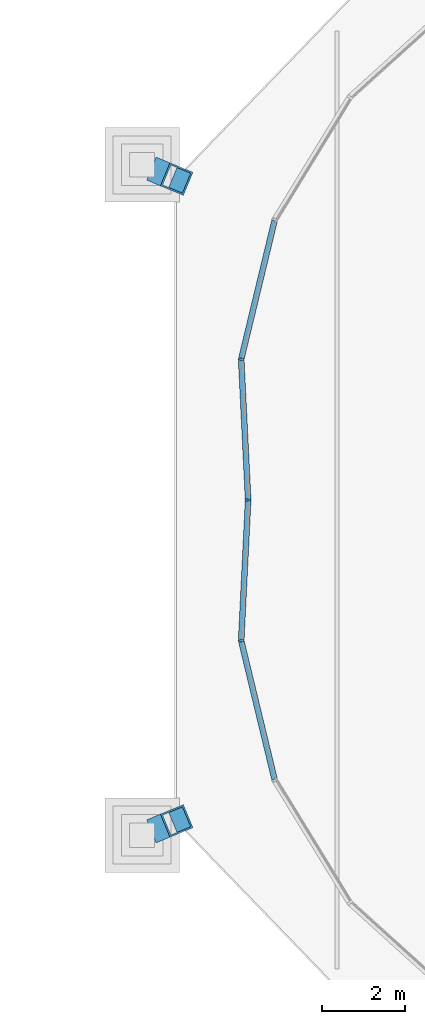
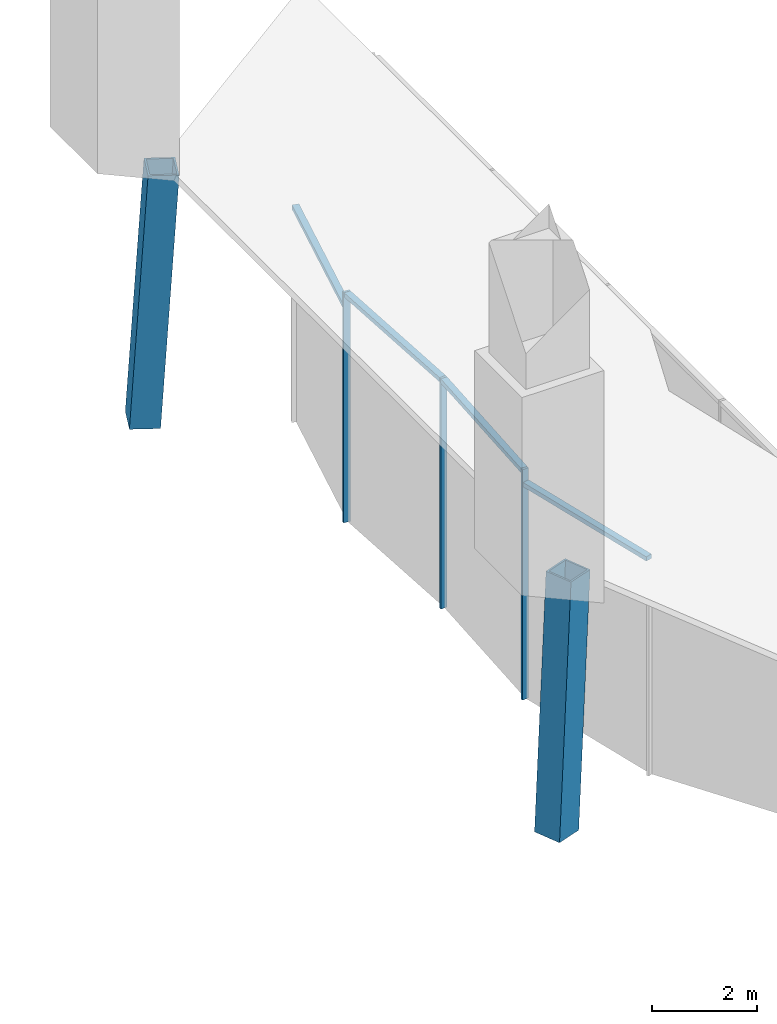
# One storey, part 3 of 8: 9 members, 2 elements without a shape of their own.
"""IFC4 building model written with IfcOpenShell, lengths in metres."""

from ifc_helpers import new_model, si_unit, direction, frame, origin, origin_2d, place, context, subcontext, project, spatial, rectangle, hollow_rectangle, extrude, material, material_profile, profile_set, type_object, element, aggregate, save


model = new_model("IFC4")

# Units and contexts
model_context = context("Model", 3, precision=1e-05, world=origin(), true_north=direction((0.0, 1.0)))
body_context = subcontext(model_context, "Body", "Model", "MODEL_VIEW")
ifc_project = project(units=[si_unit("LENGTHUNIT", "METRE"), si_unit("AREAUNIT", "SQUARE_METRE"), si_unit("VOLUMEUNIT", "CUBIC_METRE"), si_unit("PLANEANGLEUNIT", "RADIAN"), si_unit("MASSUNIT", "GRAM", prefix="KILO")], contexts=[model_context])

# Site, building, storey
site_placement = place(None, origin())
site = spatial("IfcSite", under=ifc_project, at=site_placement, CompositionType="ELEMENT")
building_placement = place(site_placement, origin())
building = spatial("IfcBuilding", under=site, at=building_placement, Name="Ogive Gate Towers", CompositionType="ELEMENT")
storey_placement = place(building_placement, frame((0.0, 0.0, 314.0)))
storey = spatial("IfcBuildingStorey", under=building, at=storey_placement, Name="L74", CompositionType="ELEMENT", Elevation=314.0)

# Curtain wall, members
ifc_material_1 = material(Name="Pale metal aluminium", Category="aluminium")
curtain_wall_type = type_object("IfcCurtainWallType", Name="Crown lean wall", PredefinedType="NOTDEFINED", material=ifc_material_1)
curtain_wall_1_placement = place(storey_placement, origin())
curtain_wall_1 = element("IfcCurtainWall", 1, at=curtain_wall_1_placement, inside=storey, type_object=curtain_wall_type, Name="CW5 T2 ECW02", PredefinedType="NOTDEFINED")
ifc_material_profile_1 = material_profile(ifc_material_1, rectangle(XDim=0.139892578125, YDim=0.050048828125, at=origin_2d()), Name="50 x 140 aluminium box")
ifc_profile_set_1 = profile_set([ifc_material_profile_1], Name="Pale metal aluminium")
member_type_1 = type_object("IfcMemberType", Name="Crown lean wall mullion 50 x 140", PredefinedType="MULLION", material=ifc_profile_set_1)
member_1_placement = place(storey_placement, frame((19.039794921875, -0.00146484375, -0.300048828125), z_axis=(0.0, 0.0, 1.0), x_axis=(0.998782145574, 0.049337872702, 0.0)))
member_1 = element("IfcMember", 2, at=member_1_placement, type_object=member_type_1, Name="CW5 mullion", PredefinedType="MULLION", context=body_context, shape_type="SweptSolid", body=[
    extrude(rectangle(XDim=0.139892578125, YDim=0.050048828125, at=origin_2d()), origin(), (0.0, 0.0, 1.0), 5.35400390625),
])
member_2_placement = place(storey_placement, frame((18.87255859375, 3.39306640625, -0.300048828125), z_axis=(0.0, 0.0, 1.0), x_axis=(0.995632311724, -0.093361126016, 0.0)))
member_2 = element("IfcMember", 3, at=member_2_placement, type_object=member_type_1, Name="CW5 mullion", PredefinedType="MULLION", context=body_context, shape_type="SweptSolid", body=[
    extrude(rectangle(XDim=0.139892578125, YDim=0.050048828125, at=origin_2d()), origin(), (0.0, 0.0, 1.0), 5.35400390625),
])

# Curtain wall, member
curtain_wall_2_placement = place(storey_placement, origin())
curtain_wall_2 = element("IfcCurtainWall", 4, at=curtain_wall_2_placement, inside=storey, type_object=curtain_wall_type, Name="CW5 T2 ECW03", PredefinedType="NOTDEFINED")
member_3_placement = place(storey_placement, frame((18.87255859375, -3.39306640625, -0.300048828125), z_axis=(0.0, 0.0, 1.0), x_axis=(0.995632311724, 0.093361126016, 0.0)))
member_3 = element("IfcMember", 5, at=member_3_placement, type_object=member_type_1, Name="CW5 mullion", PredefinedType="MULLION", context=body_context, shape_type="SweptSolid", body=[
    extrude(rectangle(XDim=0.139892578125, YDim=0.050048828125, at=origin_2d()), origin(), (0.0, 0.0, 1.0), 5.35400390625),
])

# Member
ifc_material_profile_2 = material_profile(ifc_material_1, rectangle(XDim=0.139892578125, YDim=0.10009765625, at=origin_2d()), Name="100 x 140 aluminium box")
ifc_profile_set_2 = profile_set([ifc_material_profile_2], Name="Pale metal aluminium")
member_type_2 = type_object("IfcMemberType", Name="Crown lean wall transom 100 x 140", PredefinedType="USERDEFINED", material=ifc_profile_set_2)
member_4_placement = place(storey_placement, frame((19.038818359375, 0.0234375, 5.00390625), z_axis=(-0.049344187643, 0.998781833608, 0.0), x_axis=(-0.998781833608, -0.049344187643, 0.0)))
member_4 = element("IfcMember", 6, at=member_4_placement, type_object=member_type_2, Name="CW5 transom", ObjectType="TRANSOM", PredefinedType="USERDEFINED", context=body_context, shape_type="SweptSolid", body=[
    extrude(rectangle(XDim=0.139892578125, YDim=0.10009765625, at=origin_2d()), origin(), (0.0, 0.0, 1.0), 3.3447265625),
])

member_5_placement = place(storey_placement, frame((18.879150390625, 3.421630859375, 4.71728515625), z_axis=(0.234102815344, 0.972211845149, 0.0), x_axis=(-0.972211845149, 0.234102815344, 0.0)))
member_5 = element("IfcMember", 7, at=member_5_placement, type_object=member_type_2, Name="CW5 transom", ObjectType="TRANSOM", PredefinedType="USERDEFINED", context=body_context, shape_type="SweptSolid", body=[
    extrude(rectangle(XDim=0.139892578125, YDim=0.10009765625, at=origin_2d()), origin(), (0.0, 0.0, 1.0), 3.40283203125),
])

aggregate(curtain_wall_1, [member_1, member_2, member_4, member_5])

member_6_placement = place(storey_placement, frame((19.67578125, -6.72998046875, 4.71728515625), z_axis=(-0.234102815344, 0.972211845149, 0.0), x_axis=(-0.972211845149, -0.234102815344, 0.0)))
member_6 = element("IfcMember", 8, at=member_6_placement, type_object=member_type_2, Name="CW5 transom", ObjectType="TRANSOM", PredefinedType="USERDEFINED", context=body_context, shape_type="SweptSolid", body=[
    extrude(rectangle(XDim=0.139892578125, YDim=0.10009765625, at=origin_2d()), origin(), (0.0, 0.0, 1.0), 3.40283203125),
])

member_7_placement = place(storey_placement, frame((18.873779296875, -3.364013671875, 5.00390625), z_axis=(0.049344187643, 0.998781833608, 0.0), x_axis=(-0.998781833608, 0.049344187643, 0.0)))
member_7 = element("IfcMember", 9, at=member_7_placement, type_object=member_type_2, Name="CW5 transom", ObjectType="TRANSOM", PredefinedType="USERDEFINED", context=body_context, shape_type="SweptSolid", body=[
    extrude(rectangle(XDim=0.139892578125, YDim=0.10009765625, at=origin_2d()), origin(), (0.0, 0.0, 1.0), 3.3447265625),
])

aggregate(curtain_wall_2, [member_3, member_6, member_7])

# Members
ifc_material_2 = material(Name="Steel SM460", Category="steel")
ifc_material_profile_3 = material_profile(ifc_material_2, hollow_rectangle(XDim=0.60009765625, YDim=0.60009765625, WallThickness=0.0400390625, at=origin_2d()), Name="BX 600x600x40")
ifc_profile_set_3 = profile_set([ifc_material_profile_3], Name="Steel SM460")
member_type_3 = type_object("IfcMemberType", Name="Crown rib BX 600x600x40", PredefinedType="MEMBER", material=ifc_profile_set_3)
for number, where, z_axis, x_axis, name in (
    (10, (16.98486328125, 7.876220703125, 0.0), (0.056401702581, -0.023334332705, 0.99813544014), (0.382291603221, 0.924041736128, 0.0), "T2/L74/STR002"),
    (11, (16.98486328125, -7.876220703125, 0.0), (0.056401702581, 0.023334332705, 0.99813544014), (-0.382291603221, 0.924041736128, 0.0), "T2/L74/STR003"),
):
    element("IfcMember", number, at=place(storey_placement, frame(where, z_axis=z_axis, x_axis=x_axis)), inside=storey, type_object=member_type_3, Name=name, PredefinedType="MEMBER", context=body_context, shape_type="SweptSolid", body=[
        extrude(hollow_rectangle(XDim=0.60009765625, YDim=0.60009765625, WallThickness=0.0400390625, at=origin_2d()), origin(), (0.0, 0.0, 1.0), 5.86962890625),
    ])

save(model, "model.ifc")
